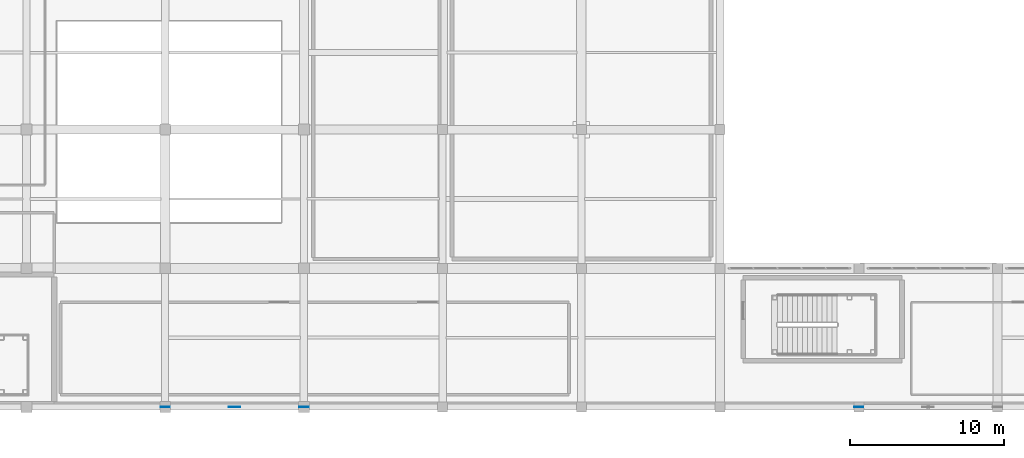
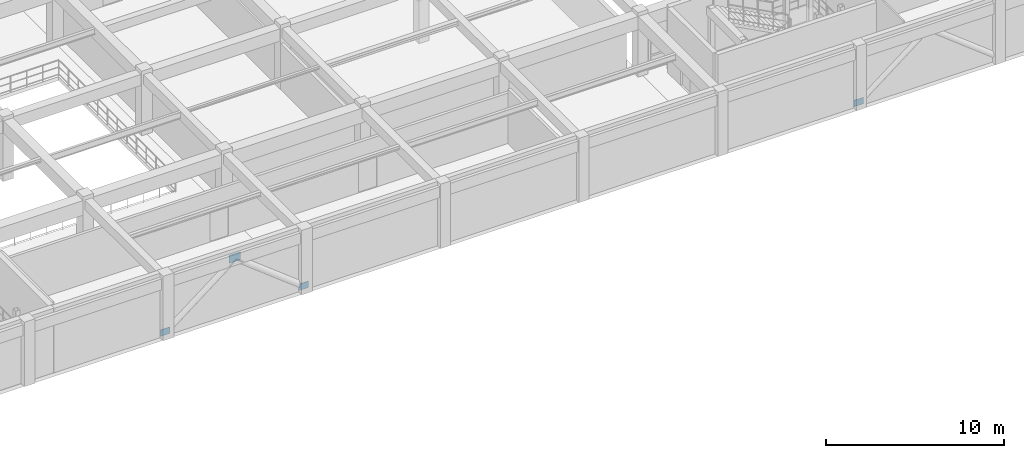
# One storey, part 102 of 133: 4 plates.
"""IFC4 building model written with IfcOpenShell, lengths in metres."""

import ifcopenshell
import ifcopenshell.guid

model = None  # the IFC model being written
_history = None  # IfcOwnerHistory: only IFC2X3 demands one
_inside = {}  # id of a spatial element -> (the spatial element, [elements in it])
_under = {}  # id of a project, library or spatial element -> (it, [spatial elements below it])
_declared = {}  # id of a project -> (the project, [libraries it declares])
_typed = {}  # id of a type object -> (the type object, [elements of that type])
_made_of = {}  # id of a material, layer set ... -> (it, [elements and type objects made of it])


def new_model(schema):
    """Start an empty IFC model of exactly this schema.

    Asked for "IFC4X3", IfcOpenShell would pick the latest addendum, in which some entities
    have other attributes; the version numbers below select the first issue.
    IFC2X3 requires an IfcOwnerHistory on every rooted entity: one is made here for all.
    """
    global model, _history
    if schema == "IFC4X3":
        model = ifcopenshell.file(schema_version=(4, 3, 0, 0))
    else:
        model = ifcopenshell.file(schema=schema)
    _inside.clear()
    _under.clear()
    _declared.clear()
    _typed.clear()
    _made_of.clear()
    _history = None
    if model.schema == "IFC2X3":
        org = make("IfcOrganization", Name="unknown")
        user = make(
            "IfcPersonAndOrganization",
            ThePerson=make("IfcPerson", FamilyName="unknown"),
            TheOrganization=org,
        )
        app = make(
            "IfcApplication",
            ApplicationDeveloper=org,
            Version="unknown",
            ApplicationFullName="unknown",
            ApplicationIdentifier="unknown",
        )
        _history = make(
            "IfcOwnerHistory",
            OwningUser=user,
            OwningApplication=app,
            ChangeAction="ADDED",
            CreationDate=0,
        )
    return model


def make(cls, **values):
    """One entity of the class cls with the attributes given. An attribute that is None is left unset."""
    return model.create_entity(
        cls, **{name: value for name, value in values.items() if value is not None}
    )


def rooted(cls, **values):
    """An entity with a GlobalId (a new one), such as an element, a storey or a relation."""
    return make(cls, GlobalId=ifcopenshell.guid.new(), OwnerHistory=_history, **values)


def si_unit(unit_type, name, prefix=None):
    """IfcSIUnit, for example si_unit("LENGTHUNIT", "METRE", prefix="MILLI")."""
    return make("IfcSIUnit", UnitType=unit_type, Prefix=prefix, Name=name)


def assignment(units):
    """IfcUnitAssignment: the units of a project."""
    return None if units is None else make("IfcUnitAssignment", Units=units)


def point(xyz):
    """IfcCartesianPoint."""
    return None if xyz is None else make("IfcCartesianPoint", Coordinates=xyz)


def direction(xyz):
    """IfcDirection."""
    return None if xyz is None else make("IfcDirection", DirectionRatios=xyz)


def frame(location, z_axis=None, x_axis=None):
    """IfcAxis2Placement3D, a coordinate frame: its origin and axes. An axis left out is left unset."""
    return make(
        "IfcAxis2Placement3D",
        Location=point(location),
        Axis=direction(z_axis),
        RefDirection=direction(x_axis),
    )


def frame_2d(location, x_axis=None):
    """IfcAxis2Placement2D, a coordinate frame in the plane: its origin and x axis."""
    return make(
        "IfcAxis2Placement2D", Location=point(location), RefDirection=direction(x_axis)
    )


def origin():
    """The frame at (0, 0, 0) with its axes left unset."""
    return frame((0.0, 0.0, 0.0))


def origin_2d():
    """The frame at (0, 0) in the plane with its x axis left unset."""
    return frame_2d((0.0, 0.0))


def place(relative_to, where):
    """IfcLocalPlacement: puts the frame where relative to a parent placement (None: the world)."""
    return make(
        "IfcLocalPlacement", PlacementRelTo=relative_to, RelativePlacement=where
    )


def context(
    kind, dimensions, precision=None, world=None, true_north=None, identifier=None
):
    """IfcGeometricRepresentationContext, for example the 3D "Model" context."""
    return make(
        "IfcGeometricRepresentationContext",
        ContextIdentifier=identifier,
        ContextType=kind,
        CoordinateSpaceDimension=dimensions,
        Precision=precision,
        WorldCoordinateSystem=world,
        TrueNorth=true_north,
    )


def subcontext(parent, identifier, kind, view, scale=None):
    """IfcGeometricRepresentationSubContext, for example "Body" below "Model"."""
    return make(
        "IfcGeometricRepresentationSubContext",
        ContextIdentifier=identifier,
        ContextType=kind,
        ParentContext=parent,
        TargetScale=scale,
        TargetView=view,
    )


def project(units=None, contexts=None):
    """IfcProject with its units and contexts."""
    return rooted(
        "IfcProject",
        Name="project",
        RepresentationContexts=contexts,
        UnitsInContext=assignment(units),
    )


def spatial(cls, under=None, at=None, **own):
    """A site, building, storey or space (cls), placed at a placement, below another one or the project."""
    s = rooted(cls, ObjectPlacement=at, **own)
    if under is not None:
        _under.setdefault(under.id(), (under, []))[1].append(s)
    return s


def profile(cls, at=None, kind="AREA", **sizes):
    """A parametric profile (cls). Its sizes go by their IFC names, for example OverallWidth=200.0."""
    return make(cls, ProfileType=kind, Position=at, **sizes)


def rectangle(**sizes):
    """IfcRectangleProfileDef."""
    return profile("IfcRectangleProfileDef", **sizes)


def extrude(swept, where, along, depth):
    """IfcExtrudedAreaSolid: the profile swept, set in the frame where, extruded along a direction by depth."""
    return make(
        "IfcExtrudedAreaSolid",
        SweptArea=swept,
        Position=where,
        ExtrudedDirection=direction(along),
        Depth=depth,
    )


def shape(context_of_items, identifier, shape_type, items):
    """IfcShapeRepresentation: the items that make up one representation, for example the "Body"."""
    return make(
        "IfcShapeRepresentation",
        ContextOfItems=context_of_items,
        RepresentationIdentifier=identifier,
        RepresentationType=shape_type,
        Items=items,
    )


def material(Name=None, Category=None):
    """IfcMaterial."""
    return make("IfcMaterial", Name=Name, Category=Category)


def layer(
    of_material, thickness, ventilated=None, Name=None, Category=None, Priority=None
):
    """IfcMaterialLayer: one layer of a wall or slab, of a material (None: an air gap)."""
    return make(
        "IfcMaterialLayer",
        Material=of_material,
        LayerThickness=thickness,
        IsVentilated=ventilated,
        Name=Name,
        Category=Category,
        Priority=Priority,
    )


def layer_set(layers, Name=None):
    """IfcMaterialLayerSet."""
    return make("IfcMaterialLayerSet", MaterialLayers=layers, LayerSetName=Name)


def made_of(thing, what):
    """Note that an element or type object is made of a material, layer set ...; save() writes the relation."""
    if what is not None:
        _made_of.setdefault(what.id(), (what, []))[1].append(thing)
    return thing


def type_object(cls, material=None, **own):
    """A type object (cls), such as IfcWallType, which elements share."""
    return made_of(rooted(cls, **own), material)


def element(
    cls,
    number,
    at=None,
    inside=None,
    cuts=None,
    type_object=None,
    material=None,
    context=None,
    identifier="Body",
    shape_type=None,
    held_by="IfcProductDefinitionShape",
    body=None,
    shapes=None,
    **own,
):
    """One element of the class cls, such as IfcWall. Its Tag is "e" and its number.

    at: its placement. inside: the storey or other place that contains it. cuts: it is an
    opening in that element (IfcRelVoidsElement). A single representation is given by context,
    identifier, shape_type and body (its items); several are given by shapes. held_by: the class
    of the entity that holds the representations. save() writes the other relations.
    """
    e = rooted(cls, Tag="e%d" % number, ObjectPlacement=at, **own)
    if body is not None:
        shapes = [shape(context, identifier, shape_type, body)]
    if shapes is not None:
        e.Representation = make(held_by, Representations=shapes)
    if inside is not None:
        _inside.setdefault(inside.id(), (inside, []))[1].append(e)
    if cuts is not None:
        rooted(
            "IfcRelVoidsElement", RelatingBuildingElement=cuts, RelatedOpeningElement=e
        )
    if type_object is not None:
        _typed.setdefault(type_object.id(), (type_object, []))[1].append(e)
    return made_of(e, material)


def aggregate(whole, parts):
    """IfcRelAggregates: a whole, such as a stair, and the parts it consists of."""
    return rooted("IfcRelAggregates", RelatingObject=whole, RelatedObjects=parts)


def save(model, path):
    """Write the relations noted so far, then the file.

    IfcRelAggregates (storeys below a building ...), IfcRelContainedInSpatialStructure (elements
    in a storey), IfcRelDefinesByType, IfcRelAssociatesMaterial and IfcRelDeclares: one each for
    every whole, place, type object, material and project.
    """
    for whole, parts in _under.values():
        aggregate(whole, parts)
    for where, things in _inside.values():
        rooted(
            "IfcRelContainedInSpatialStructure",
            RelatedElements=things,
            RelatingStructure=where,
        )
    for kind, things in _typed.values():
        rooted("IfcRelDefinesByType", RelatedObjects=things, RelatingType=kind)
    for what, things in _made_of.values():
        rooted("IfcRelAssociatesMaterial", RelatedObjects=things, RelatingMaterial=what)
    for by, libraries in _declared.values():
        rooted("IfcRelDeclares", RelatingContext=by, RelatedDefinitions=libraries)
    model.write(path)


model = new_model("IFC4")

# Units and contexts
model_context = context("Model", 3, precision=1e-05, world=origin(), true_north=direction((0.0, 1.0)))
body_context = subcontext(model_context, "Body", "Model", "MODEL_VIEW")
ifc_project = project(units=[si_unit("LENGTHUNIT", "METRE"), si_unit("AREAUNIT", "SQUARE_METRE"), si_unit("VOLUMEUNIT", "CUBIC_METRE"), si_unit("PLANEANGLEUNIT", "RADIAN"), si_unit("MASSUNIT", "GRAM", prefix="KILO")], contexts=[model_context])

# Site, building, storey
site_placement = place(None, origin())
site = spatial("IfcSite", under=ifc_project, at=site_placement, CompositionType="ELEMENT")
building_placement = place(site_placement, origin())
building = spatial("IfcBuilding", under=site, at=building_placement, Name="Miravela Opera House", CompositionType="ELEMENT")
storey_placement = place(building_placement, frame((0.0, 0.0, 5.10009765625)))
storey = spatial("IfcBuildingStorey", under=building, at=storey_placement, Name="L01", CompositionType="ELEMENT", Elevation=5.10009765625)

# Plates
ifc_material = material(Name="Structural steel ASTM A572 Gr. 50", Category="steel")
ifc_layer_1 = layer(ifc_material, 0.01806640625)
ifc_layer_set_1 = layer_set([ifc_layer_1])
plate_type_1 = type_object("IfcPlateType", Name="STR-PL-GUS-600X450X18", PredefinedType="USERDEFINED", material=ifc_layer_set_1)
for number, where, z_axis, x_axis, name in (
    (1, (81.0, 0.0, 0.07470703125), (0.0, 0.0, 1.0), (1.0, 0.0, 0.0), "Brace Wall Cast-In Embed Plate 301"),
    (2, (90.0, 0.0, 0.07470703125), (0.0, 0.0, 1.0), (1.0, 0.0, 0.0), "Brace Wall Cast-In Embed Plate 302"),
    (3, (126.0, 0.0, 0.07470703125), (0.0, 0.0, 1.0), (1.0, 0.0, 0.0), "Brace Wall Cast-In Embed Plate 313"),
):
    element("IfcPlate", number, at=place(storey_placement, frame(where, z_axis=z_axis, x_axis=x_axis)), inside=storey, type_object=plate_type_1, Name=name, ObjectType="GUSSET PLATE", PredefinedType="USERDEFINED", context=body_context, shape_type="SweptSolid", body=[
        extrude(rectangle(XDim=0.60009765625, YDim=0.01806640625, at=origin_2d()), origin(), (0.0, 0.0, 1.0), 0.449951171875),
    ])
ifc_layer_2 = layer(ifc_material, 0.02001953125)
ifc_layer_set_2 = layer_set([ifc_layer_2])
plate_type_2 = type_object("IfcPlateType", Name="STR-PL-GUS-750X550X20", PredefinedType="USERDEFINED", material=ifc_layer_set_2)
plate_placement = place(storey_placement, frame((85.5, 0.0, 3.53466796875), z_axis=(0.0, 0.0, 1.0), x_axis=(1.0, 0.0, 0.0)))
element("IfcPlate", 4, at=plate_placement, inside=storey, type_object=plate_type_2, Name="Chevron Brace Apex Gusset Plate 300", ObjectType="GUSSET PLATE", PredefinedType="USERDEFINED", context=body_context, shape_type="SweptSolid", body=[
    extrude(rectangle(XDim=0.75, YDim=0.02001953125, at=origin_2d()), origin(), (0.0, 0.0, 1.0), 0.550048828125),
])

save(model, "model.ifc")
